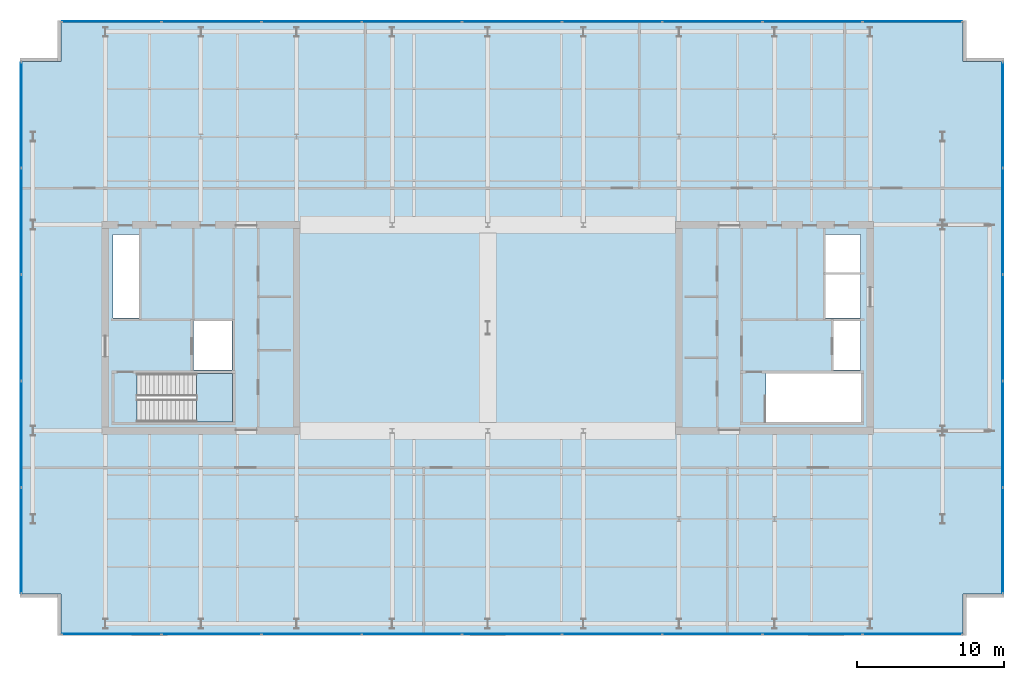
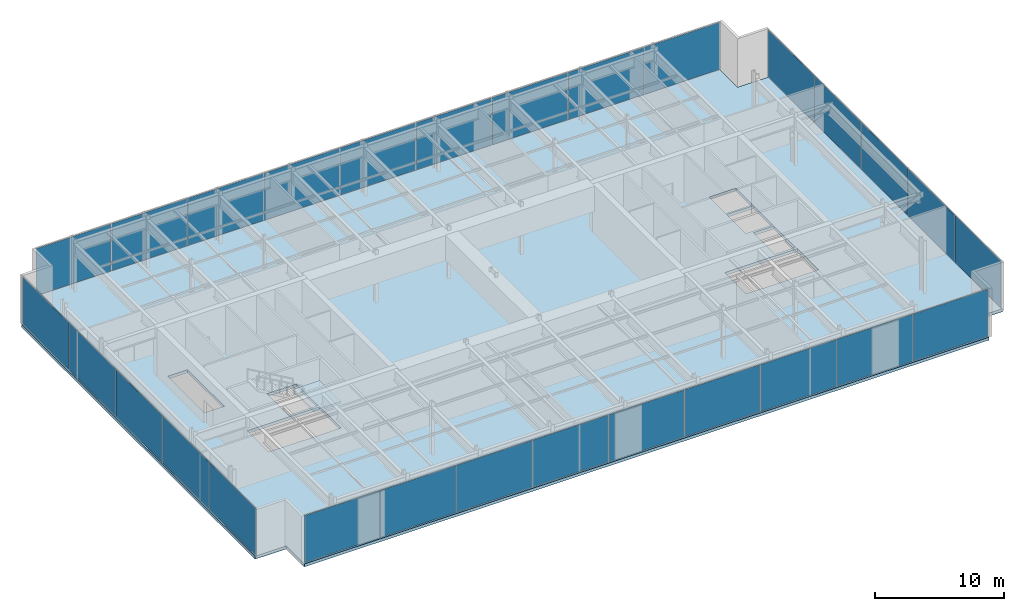
# One storey, part 16 of 21: 28 plates, 2 slabs, 5 elements without a shape of their own.
"""IFC4 building model written with IfcOpenShell, lengths in metres."""

import ifcopenshell
import ifcopenshell.guid

model = None  # the IFC model being written
_history = None  # IfcOwnerHistory: only IFC2X3 demands one
_inside = {}  # id of a spatial element -> (the spatial element, [elements in it])
_under = {}  # id of a project, library or spatial element -> (it, [spatial elements below it])
_declared = {}  # id of a project -> (the project, [libraries it declares])
_typed = {}  # id of a type object -> (the type object, [elements of that type])
_made_of = {}  # id of a material, layer set ... -> (it, [elements and type objects made of it])


def new_model(schema):
    """Start an empty IFC model of exactly this schema.

    Asked for "IFC4X3", IfcOpenShell would pick the latest addendum, in which some entities
    have other attributes; the version numbers below select the first issue.
    IFC2X3 requires an IfcOwnerHistory on every rooted entity: one is made here for all.
    """
    global model, _history
    if schema == "IFC4X3":
        model = ifcopenshell.file(schema_version=(4, 3, 0, 0))
    else:
        model = ifcopenshell.file(schema=schema)
    _inside.clear()
    _under.clear()
    _declared.clear()
    _typed.clear()
    _made_of.clear()
    _history = None
    if model.schema == "IFC2X3":
        org = make("IfcOrganization", Name="unknown")
        user = make(
            "IfcPersonAndOrganization",
            ThePerson=make("IfcPerson", FamilyName="unknown"),
            TheOrganization=org,
        )
        app = make(
            "IfcApplication",
            ApplicationDeveloper=org,
            Version="unknown",
            ApplicationFullName="unknown",
            ApplicationIdentifier="unknown",
        )
        _history = make(
            "IfcOwnerHistory",
            OwningUser=user,
            OwningApplication=app,
            ChangeAction="ADDED",
            CreationDate=0,
        )
    return model


def make(cls, **values):
    """One entity of the class cls with the attributes given. An attribute that is None is left unset."""
    return model.create_entity(
        cls, **{name: value for name, value in values.items() if value is not None}
    )


def rooted(cls, **values):
    """An entity with a GlobalId (a new one), such as an element, a storey or a relation."""
    return make(cls, GlobalId=ifcopenshell.guid.new(), OwnerHistory=_history, **values)


def si_unit(unit_type, name, prefix=None):
    """IfcSIUnit, for example si_unit("LENGTHUNIT", "METRE", prefix="MILLI")."""
    return make("IfcSIUnit", UnitType=unit_type, Prefix=prefix, Name=name)


def assignment(units):
    """IfcUnitAssignment: the units of a project."""
    return None if units is None else make("IfcUnitAssignment", Units=units)


def point(xyz):
    """IfcCartesianPoint."""
    return None if xyz is None else make("IfcCartesianPoint", Coordinates=xyz)


def direction(xyz):
    """IfcDirection."""
    return None if xyz is None else make("IfcDirection", DirectionRatios=xyz)


def frame(location, z_axis=None, x_axis=None):
    """IfcAxis2Placement3D, a coordinate frame: its origin and axes. An axis left out is left unset."""
    return make(
        "IfcAxis2Placement3D",
        Location=point(location),
        Axis=direction(z_axis),
        RefDirection=direction(x_axis),
    )


def frame_2d(location, x_axis=None):
    """IfcAxis2Placement2D, a coordinate frame in the plane: its origin and x axis."""
    return make(
        "IfcAxis2Placement2D", Location=point(location), RefDirection=direction(x_axis)
    )


def origin():
    """The frame at (0, 0, 0) with its axes left unset."""
    return frame((0.0, 0.0, 0.0))


def origin_2d():
    """The frame at (0, 0) in the plane with its x axis left unset."""
    return frame_2d((0.0, 0.0))


def place(relative_to, where):
    """IfcLocalPlacement: puts the frame where relative to a parent placement (None: the world)."""
    return make(
        "IfcLocalPlacement", PlacementRelTo=relative_to, RelativePlacement=where
    )


def context(
    kind, dimensions, precision=None, world=None, true_north=None, identifier=None
):
    """IfcGeometricRepresentationContext, for example the 3D "Model" context."""
    return make(
        "IfcGeometricRepresentationContext",
        ContextIdentifier=identifier,
        ContextType=kind,
        CoordinateSpaceDimension=dimensions,
        Precision=precision,
        WorldCoordinateSystem=world,
        TrueNorth=true_north,
    )


def subcontext(parent, identifier, kind, view, scale=None):
    """IfcGeometricRepresentationSubContext, for example "Body" below "Model"."""
    return make(
        "IfcGeometricRepresentationSubContext",
        ContextIdentifier=identifier,
        ContextType=kind,
        ParentContext=parent,
        TargetScale=scale,
        TargetView=view,
    )


def project(units=None, contexts=None):
    """IfcProject with its units and contexts."""
    return rooted(
        "IfcProject",
        Name="project",
        RepresentationContexts=contexts,
        UnitsInContext=assignment(units),
    )


def spatial(cls, under=None, at=None, **own):
    """A site, building, storey or space (cls), placed at a placement, below another one or the project."""
    s = rooted(cls, ObjectPlacement=at, **own)
    if under is not None:
        _under.setdefault(under.id(), (under, []))[1].append(s)
    return s


def polyline(points):
    """IfcPolyline through the points."""
    return make("IfcPolyline", Points=[point(p) for p in points])


def profile(cls, at=None, kind="AREA", **sizes):
    """A parametric profile (cls). Its sizes go by their IFC names, for example OverallWidth=200.0."""
    return make(cls, ProfileType=kind, Position=at, **sizes)


def rectangle(**sizes):
    """IfcRectangleProfileDef."""
    return profile("IfcRectangleProfileDef", **sizes)


def outline(outer, holes=None, kind="AREA"):
    """IfcArbitraryClosedProfileDef: a profile drawn as a closed curve; with holes, ...WithVoids."""
    if holes is None:
        return make("IfcArbitraryClosedProfileDef", ProfileType=kind, OuterCurve=outer)
    return make(
        "IfcArbitraryProfileDefWithVoids",
        ProfileType=kind,
        OuterCurve=outer,
        InnerCurves=holes,
    )


def extrude(swept, where, along, depth):
    """IfcExtrudedAreaSolid: the profile swept, set in the frame where, extruded along a direction by depth."""
    return make(
        "IfcExtrudedAreaSolid",
        SweptArea=swept,
        Position=where,
        ExtrudedDirection=direction(along),
        Depth=depth,
    )


def shape(context_of_items, identifier, shape_type, items):
    """IfcShapeRepresentation: the items that make up one representation, for example the "Body"."""
    return make(
        "IfcShapeRepresentation",
        ContextOfItems=context_of_items,
        RepresentationIdentifier=identifier,
        RepresentationType=shape_type,
        Items=items,
    )


def material(Name=None, Category=None):
    """IfcMaterial."""
    return make("IfcMaterial", Name=Name, Category=Category)


def layer(
    of_material, thickness, ventilated=None, Name=None, Category=None, Priority=None
):
    """IfcMaterialLayer: one layer of a wall or slab, of a material (None: an air gap)."""
    return make(
        "IfcMaterialLayer",
        Material=of_material,
        LayerThickness=thickness,
        IsVentilated=ventilated,
        Name=Name,
        Category=Category,
        Priority=Priority,
    )


def layer_set(layers, Name=None):
    """IfcMaterialLayerSet."""
    return make("IfcMaterialLayerSet", MaterialLayers=layers, LayerSetName=Name)


def made_of(thing, what):
    """Note that an element or type object is made of a material, layer set ...; save() writes the relation."""
    if what is not None:
        _made_of.setdefault(what.id(), (what, []))[1].append(thing)
    return thing


def type_object(cls, material=None, **own):
    """A type object (cls), such as IfcWallType, which elements share."""
    return made_of(rooted(cls, **own), material)


def element(
    cls,
    number,
    at=None,
    inside=None,
    cuts=None,
    type_object=None,
    material=None,
    context=None,
    identifier="Body",
    shape_type=None,
    held_by="IfcProductDefinitionShape",
    body=None,
    shapes=None,
    **own,
):
    """One element of the class cls, such as IfcWall. Its Tag is "e" and its number.

    at: its placement. inside: the storey or other place that contains it. cuts: it is an
    opening in that element (IfcRelVoidsElement). A single representation is given by context,
    identifier, shape_type and body (its items); several are given by shapes. held_by: the class
    of the entity that holds the representations. save() writes the other relations.
    """
    e = rooted(cls, Tag="e%d" % number, ObjectPlacement=at, **own)
    if body is not None:
        shapes = [shape(context, identifier, shape_type, body)]
    if shapes is not None:
        e.Representation = make(held_by, Representations=shapes)
    if inside is not None:
        _inside.setdefault(inside.id(), (inside, []))[1].append(e)
    if cuts is not None:
        rooted(
            "IfcRelVoidsElement", RelatingBuildingElement=cuts, RelatedOpeningElement=e
        )
    if type_object is not None:
        _typed.setdefault(type_object.id(), (type_object, []))[1].append(e)
    return made_of(e, material)


def aggregate(whole, parts):
    """IfcRelAggregates: a whole, such as a stair, and the parts it consists of."""
    return rooted("IfcRelAggregates", RelatingObject=whole, RelatedObjects=parts)


def save(model, path):
    """Write the relations noted so far, then the file.

    IfcRelAggregates (storeys below a building ...), IfcRelContainedInSpatialStructure (elements
    in a storey), IfcRelDefinesByType, IfcRelAssociatesMaterial and IfcRelDeclares: one each for
    every whole, place, type object, material and project.
    """
    for whole, parts in _under.values():
        aggregate(whole, parts)
    for where, things in _inside.values():
        rooted(
            "IfcRelContainedInSpatialStructure",
            RelatedElements=things,
            RelatingStructure=where,
        )
    for kind, things in _typed.values():
        rooted("IfcRelDefinesByType", RelatedObjects=things, RelatingType=kind)
    for what, things in _made_of.values():
        rooted("IfcRelAssociatesMaterial", RelatedObjects=things, RelatingMaterial=what)
    for by, libraries in _declared.values():
        rooted("IfcRelDeclares", RelatingContext=by, RelatedDefinitions=libraries)
    model.write(path)


model = new_model("IFC4")

# Units and contexts
model_context = context("Model", 3, precision=1e-05, world=origin(), true_north=direction((0.0, 1.0)))
body_context = subcontext(model_context, "Body", "Model", "MODEL_VIEW")
ifc_project = project(units=[si_unit("LENGTHUNIT", "METRE"), si_unit("AREAUNIT", "SQUARE_METRE"), si_unit("VOLUMEUNIT", "CUBIC_METRE"), si_unit("PLANEANGLEUNIT", "RADIAN"), si_unit("MASSUNIT", "GRAM", prefix="KILO")], contexts=[model_context])

# Site, building, storey
site_placement = place(None, origin())
site = spatial("IfcSite", under=ifc_project, at=site_placement, CompositionType="ELEMENT")
building_placement = place(site_placement, origin())
building = spatial("IfcBuilding", under=site, at=building_placement, Name="Putna Gate Headquarters", CompositionType="ELEMENT")
storey_placement = place(building_placement, frame((0.0, 0.0, 315.39990234375)))
storey = spatial("IfcBuildingStorey", under=building, at=storey_placement, Name="L79", CompositionType="ELEMENT", Elevation=315.39990234375)

# Stair, slab
ifc_material_1 = material(Name="Concrete C40/50", Category="concrete")
stair_type = type_object("IfcStairType", Name="STAIR-ST1", PredefinedType="HALF_TURN_STAIR", material=ifc_material_1)
stair_placement = place(storey_placement, origin())
stair = element("IfcStair", 1, at=stair_placement, inside=storey, type_object=stair_type, Name="L79 West Core Exit Stair ST1", PredefinedType="HALF_TURN_STAIR")
ifc_layer_1 = layer(ifc_material_1, 0.199951171875)
ifc_layer_set_1 = layer_set([ifc_layer_1], Name="Concrete C40/50")
slab_type_1 = type_object("IfcSlabType", Name="LANDING-ST1", PredefinedType="LANDING", material=ifc_layer_set_1)
slab_1_placement = place(storey_placement, frame((0.0, 0.0, 2.300048828125)))
slab_1 = element("IfcSlab", 2, at=slab_1_placement, type_object=slab_type_1, Name="ST1 landing 1", PredefinedType="LANDING", context=body_context, shape_type="SweptSolid", body=[
    extrude(outline(polyline([(19.2099609375, 19.60009765625), (21.64990234375, 19.60009765625), (21.64990234375, 22.89990234375), (19.2099609375, 22.89990234375), (19.2099609375, 19.60009765625)])), origin(), (0.0, 0.0, 1.0), 0.199951171875),
])
aggregate(stair, [slab_1])

# Curtain wall, plates
ifc_material_2 = material(Name="Anodised bronze aluminium curtain wall", Category="aluminium")
ifc_layer_2 = layer(ifc_material_2, 0.159912109375)
ifc_layer_set_2 = layer_set([ifc_layer_2], Name="Anodised bronze aluminium curtain wall")
curtain_wall_type = type_object("IfcCurtainWallType", Name="CW-SYS-CRN", PredefinedType="USERDEFINED", material=ifc_layer_set_2)
curtain_wall_1_placement = place(storey_placement, origin())
curtain_wall_1 = element("IfcCurtainWall", 3, at=curtain_wall_1_placement, inside=storey, type_object=curtain_wall_type, Name="L79 Acoustic Louvre South Enclosure", ObjectType="STICK CURTAIN WALL", PredefinedType="USERDEFINED")
ifc_material_3 = material(Name="Anodised bronze acoustic louvre panel", Category="aluminium")
ifc_layer_3 = layer(ifc_material_3, 0.044921875)
ifc_layer_set_3 = layer_set([ifc_layer_3], Name="Anodised bronze acoustic louvre panel")
plate_type = type_object("IfcPlateType", Name="PAN-CWP-CR", PredefinedType="CURTAIN_PANEL", material=ifc_layer_set_3)
plate_1_placement = place(storey_placement, frame((13.421875, 5.179931640625, 0.06494140625), z_axis=(0.0, 0.0, 1.0), x_axis=(1.0, 0.0, 0.0)))
plate_1 = element("IfcPlate", 4, at=plate_1_placement, type_object=plate_type, Name="CWS-CR panel 1.1", PredefinedType="CURTAIN_PANEL", context=body_context, shape_type="SweptSolid", body=[
    extrude(rectangle(XDim=6.713623046875, YDim=0.044921875, at=origin_2d()), origin(), (0.0, 0.0, 1.0), 4.449951171875),
])
plate_2_placement = place(storey_placement, frame((20.216552734375, 5.179931640625, 0.06494140625), z_axis=(0.0, 0.0, 1.0), x_axis=(1.0, 0.0, 0.0)))
plate_2 = element("IfcPlate", 5, at=plate_2_placement, type_object=plate_type, Name="CWS-CR panel 2.1", PredefinedType="CURTAIN_PANEL", context=body_context, shape_type="SweptSolid", body=[
    extrude(rectangle(XDim=6.74609375, YDim=0.044921875, at=origin_2d()), origin(), (0.0, 0.0, 1.0), 4.449951171875),
])
plate_3_placement = place(storey_placement, frame((27.02783203125, 5.179931640625, 0.06494140625), z_axis=(0.0, 0.0, 1.0), x_axis=(1.0, 0.0, 0.0)))
plate_3 = element("IfcPlate", 6, at=plate_3_placement, type_object=plate_type, Name="CWS-CR panel 3.1", PredefinedType="CURTAIN_PANEL", context=body_context, shape_type="SweptSolid", body=[
    extrude(rectangle(XDim=6.74609375, YDim=0.044921875, at=origin_2d()), origin(), (0.0, 0.0, 1.0), 4.449951171875),
])
plate_4_placement = place(storey_placement, frame((33.8388671875, 5.179931640625, 0.06494140625), z_axis=(0.0, 0.0, 1.0), x_axis=(1.0, 0.0, 0.0)))
plate_4 = element("IfcPlate", 7, at=plate_4_placement, type_object=plate_type, Name="CWS-CR panel 4.1", PredefinedType="CURTAIN_PANEL", context=body_context, shape_type="SweptSolid", body=[
    extrude(rectangle(XDim=6.74609375, YDim=0.044921875, at=origin_2d()), origin(), (0.0, 0.0, 1.0), 4.449951171875),
])
plate_5_placement = place(storey_placement, frame((40.64990234375, 5.179931640625, 0.06494140625), z_axis=(0.0, 0.0, 1.0), x_axis=(1.0, 0.0, 0.0)))
plate_5 = element("IfcPlate", 8, at=plate_5_placement, type_object=plate_type, Name="CWS-CR panel 5.1", PredefinedType="CURTAIN_PANEL", context=body_context, shape_type="SweptSolid", body=[
    extrude(rectangle(XDim=6.74609375, YDim=0.044921875, at=origin_2d()), origin(), (0.0, 0.0, 1.0), 4.449951171875),
])
plate_6_placement = place(storey_placement, frame((47.461181640625, 5.179931640625, 0.06494140625), z_axis=(0.0, 0.0, 1.0), x_axis=(1.0, 0.0, 0.0)))
plate_6 = element("IfcPlate", 9, at=plate_6_placement, type_object=plate_type, Name="CWS-CR panel 6.1", PredefinedType="CURTAIN_PANEL", context=body_context, shape_type="SweptSolid", body=[
    extrude(rectangle(XDim=6.74609375, YDim=0.044921875, at=origin_2d()), origin(), (0.0, 0.0, 1.0), 4.449951171875),
])
plate_7_placement = place(storey_placement, frame((54.272216796875, 5.179931640625, 0.06494140625), z_axis=(0.0, 0.0, 1.0), x_axis=(1.0, 0.0, 0.0)))
plate_7 = element("IfcPlate", 10, at=plate_7_placement, type_object=plate_type, Name="CWS-CR panel 7.1", PredefinedType="CURTAIN_PANEL", context=body_context, shape_type="SweptSolid", body=[
    extrude(rectangle(XDim=6.74609375, YDim=0.044921875, at=origin_2d()), origin(), (0.0, 0.0, 1.0), 4.449951171875),
])
plate_8_placement = place(storey_placement, frame((61.083251953125, 5.179931640625, 0.06494140625), z_axis=(0.0, 0.0, 1.0), x_axis=(1.0, 0.0, 0.0)))
plate_8 = element("IfcPlate", 11, at=plate_8_placement, type_object=plate_type, Name="CWS-CR panel 8.1", PredefinedType="CURTAIN_PANEL", context=body_context, shape_type="SweptSolid", body=[
    extrude(rectangle(XDim=6.74609375, YDim=0.044921875, at=origin_2d()), origin(), (0.0, 0.0, 1.0), 4.449951171875),
])
plate_9_placement = place(storey_placement, frame((67.878173828125, 5.179931640625, 0.06494140625), z_axis=(0.0, 0.0, 1.0), x_axis=(1.0, 0.0, 0.0)))
plate_9 = element("IfcPlate", 12, at=plate_9_placement, type_object=plate_type, Name="CWS-CR panel 9.1", PredefinedType="CURTAIN_PANEL", context=body_context, shape_type="SweptSolid", body=[
    extrude(rectangle(XDim=6.713623046875, YDim=0.044921875, at=origin_2d()), origin(), (0.0, 0.0, 1.0), 4.449951171875),
])
aggregate(curtain_wall_1, [plate_1, plate_2, plate_3, plate_4, plate_5, plate_6, plate_7, plate_8, plate_9])

curtain_wall_2_placement = place(storey_placement, origin())
curtain_wall_2 = element("IfcCurtainWall", 13, at=curtain_wall_2_placement, inside=storey, type_object=curtain_wall_type, Name="L79 Acoustic Louvre North Enclosure", ObjectType="STICK CURTAIN WALL", PredefinedType="USERDEFINED")
plate_10_placement = place(storey_placement, frame((13.421875, 46.820068359375, 0.06494140625), z_axis=(0.0, 0.0, 1.0), x_axis=(1.0, 0.0, 0.0)))
plate_10 = element("IfcPlate", 14, at=plate_10_placement, type_object=plate_type, Name="CWS-CR panel 1.1", PredefinedType="CURTAIN_PANEL", context=body_context, shape_type="SweptSolid", body=[
    extrude(rectangle(XDim=6.713623046875, YDim=0.044921875, at=origin_2d()), origin(), (0.0, 0.0, 1.0), 4.449951171875),
])
plate_11_placement = place(storey_placement, frame((20.216552734375, 46.820068359375, 0.06494140625), z_axis=(0.0, 0.0, 1.0), x_axis=(1.0, 0.0, 0.0)))
plate_11 = element("IfcPlate", 15, at=plate_11_placement, type_object=plate_type, Name="CWS-CR panel 2.1", PredefinedType="CURTAIN_PANEL", context=body_context, shape_type="SweptSolid", body=[
    extrude(rectangle(XDim=6.74609375, YDim=0.044921875, at=origin_2d()), origin(), (0.0, 0.0, 1.0), 4.449951171875),
])
plate_12_placement = place(storey_placement, frame((27.02783203125, 46.820068359375, 0.06494140625), z_axis=(0.0, 0.0, 1.0), x_axis=(1.0, 0.0, 0.0)))
plate_12 = element("IfcPlate", 16, at=plate_12_placement, type_object=plate_type, Name="CWS-CR panel 3.1", PredefinedType="CURTAIN_PANEL", context=body_context, shape_type="SweptSolid", body=[
    extrude(rectangle(XDim=6.74609375, YDim=0.044921875, at=origin_2d()), origin(), (0.0, 0.0, 1.0), 4.449951171875),
])
plate_13_placement = place(storey_placement, frame((33.8388671875, 46.820068359375, 0.06494140625), z_axis=(0.0, 0.0, 1.0), x_axis=(1.0, 0.0, 0.0)))
plate_13 = element("IfcPlate", 17, at=plate_13_placement, type_object=plate_type, Name="CWS-CR panel 4.1", PredefinedType="CURTAIN_PANEL", context=body_context, shape_type="SweptSolid", body=[
    extrude(rectangle(XDim=6.74609375, YDim=0.044921875, at=origin_2d()), origin(), (0.0, 0.0, 1.0), 4.449951171875),
])
plate_14_placement = place(storey_placement, frame((40.64990234375, 46.820068359375, 0.06494140625), z_axis=(0.0, 0.0, 1.0), x_axis=(1.0, 0.0, 0.0)))
plate_14 = element("IfcPlate", 18, at=plate_14_placement, type_object=plate_type, Name="CWS-CR panel 5.1", PredefinedType="CURTAIN_PANEL", context=body_context, shape_type="SweptSolid", body=[
    extrude(rectangle(XDim=6.74609375, YDim=0.044921875, at=origin_2d()), origin(), (0.0, 0.0, 1.0), 4.449951171875),
])
plate_15_placement = place(storey_placement, frame((47.461181640625, 46.820068359375, 0.06494140625), z_axis=(0.0, 0.0, 1.0), x_axis=(1.0, 0.0, 0.0)))
plate_15 = element("IfcPlate", 19, at=plate_15_placement, type_object=plate_type, Name="CWS-CR panel 6.1", PredefinedType="CURTAIN_PANEL", context=body_context, shape_type="SweptSolid", body=[
    extrude(rectangle(XDim=6.74609375, YDim=0.044921875, at=origin_2d()), origin(), (0.0, 0.0, 1.0), 4.449951171875),
])
plate_16_placement = place(storey_placement, frame((54.272216796875, 46.820068359375, 0.06494140625), z_axis=(0.0, 0.0, 1.0), x_axis=(1.0, 0.0, 0.0)))
plate_16 = element("IfcPlate", 20, at=plate_16_placement, type_object=plate_type, Name="CWS-CR panel 7.1", PredefinedType="CURTAIN_PANEL", context=body_context, shape_type="SweptSolid", body=[
    extrude(rectangle(XDim=6.74609375, YDim=0.044921875, at=origin_2d()), origin(), (0.0, 0.0, 1.0), 4.449951171875),
])
plate_17_placement = place(storey_placement, frame((61.083251953125, 46.820068359375, 0.06494140625), z_axis=(0.0, 0.0, 1.0), x_axis=(1.0, 0.0, 0.0)))
plate_17 = element("IfcPlate", 21, at=plate_17_placement, type_object=plate_type, Name="CWS-CR panel 8.1", PredefinedType="CURTAIN_PANEL", context=body_context, shape_type="SweptSolid", body=[
    extrude(rectangle(XDim=6.74609375, YDim=0.044921875, at=origin_2d()), origin(), (0.0, 0.0, 1.0), 4.449951171875),
])
plate_18_placement = place(storey_placement, frame((67.878173828125, 46.820068359375, 0.06494140625), z_axis=(0.0, 0.0, 1.0), x_axis=(1.0, 0.0, 0.0)))
plate_18 = element("IfcPlate", 22, at=plate_18_placement, type_object=plate_type, Name="CWS-CR panel 9.1", PredefinedType="CURTAIN_PANEL", context=body_context, shape_type="SweptSolid", body=[
    extrude(rectangle(XDim=6.713623046875, YDim=0.044921875, at=origin_2d()), origin(), (0.0, 0.0, 1.0), 4.449951171875),
])
aggregate(curtain_wall_2, [plate_10, plate_11, plate_12, plate_13, plate_14, plate_15, plate_16, plate_17, plate_18])

curtain_wall_3_placement = place(storey_placement, origin())
curtain_wall_3 = element("IfcCurtainWall", 23, at=curtain_wall_3_placement, inside=storey, type_object=curtain_wall_type, Name="L79 Acoustic Louvre West Enclosure", ObjectType="STICK CURTAIN WALL", PredefinedType="USERDEFINED")
plate_19_placement = place(storey_placement, frame((7.280029296875, 11.5361328125, 0.06494140625), z_axis=(0.0, 0.0, 1.0), x_axis=(0.0, 1.0, 0.0)))
plate_19 = element("IfcPlate", 24, at=plate_19_placement, type_object=plate_type, Name="CWS-CR panel 1.1", PredefinedType="CURTAIN_PANEL", context=body_context, shape_type="SweptSolid", body=[
    extrude(rectangle(XDim=7.142578125, YDim=0.044921875, at=origin_2d()), origin(), (0.0, 0.0, 1.0), 4.449951171875),
])
plate_20_placement = place(storey_placement, frame((7.280029296875, 18.760009765625, 0.06494140625), z_axis=(0.0, 0.0, 1.0), x_axis=(0.0, 1.0, 0.0)))
plate_20 = element("IfcPlate", 25, at=plate_20_placement, type_object=plate_type, Name="CWS-CR panel 2.1", PredefinedType="CURTAIN_PANEL", context=body_context, shape_type="SweptSolid", body=[
    extrude(rectangle(XDim=7.175048828125, YDim=0.044921875, at=origin_2d()), origin(), (0.0, 0.0, 1.0), 4.449951171875),
])
plate_21_placement = place(storey_placement, frame((7.280029296875, 26.0, 0.06494140625), z_axis=(0.0, 0.0, 1.0), x_axis=(0.0, 1.0, 0.0)))
plate_21 = element("IfcPlate", 26, at=plate_21_placement, type_object=plate_type, Name="CWS-CR panel 3.1", PredefinedType="CURTAIN_PANEL", context=body_context, shape_type="SweptSolid", body=[
    extrude(rectangle(XDim=7.175048828125, YDim=0.044921875, at=origin_2d()), origin(), (0.0, 0.0, 1.0), 4.449951171875),
])
plate_22_placement = place(storey_placement, frame((7.280029296875, 33.239990234375, 0.06494140625), z_axis=(0.0, 0.0, 1.0), x_axis=(0.0, 1.0, 0.0)))
plate_22 = element("IfcPlate", 27, at=plate_22_placement, type_object=plate_type, Name="CWS-CR panel 4.1", PredefinedType="CURTAIN_PANEL", context=body_context, shape_type="SweptSolid", body=[
    extrude(rectangle(XDim=7.175048828125, YDim=0.044921875, at=origin_2d()), origin(), (0.0, 0.0, 1.0), 4.449951171875),
])
plate_23_placement = place(storey_placement, frame((7.280029296875, 40.4638671875, 0.06494140625), z_axis=(0.0, 0.0, 1.0), x_axis=(0.0, 1.0, 0.0)))
plate_23 = element("IfcPlate", 28, at=plate_23_placement, type_object=plate_type, Name="CWS-CR panel 5.1", PredefinedType="CURTAIN_PANEL", context=body_context, shape_type="SweptSolid", body=[
    extrude(rectangle(XDim=7.142578125, YDim=0.044921875, at=origin_2d()), origin(), (0.0, 0.0, 1.0), 4.449951171875),
])
aggregate(curtain_wall_3, [plate_19, plate_20, plate_21, plate_22, plate_23])

curtain_wall_4_placement = place(storey_placement, origin())
curtain_wall_4 = element("IfcCurtainWall", 29, at=curtain_wall_4_placement, inside=storey, type_object=curtain_wall_type, Name="L79 Acoustic Louvre East Enclosure", ObjectType="STICK CURTAIN WALL", PredefinedType="USERDEFINED")
plate_24_placement = place(storey_placement, frame((74.02001953125, 11.5361328125, 0.06494140625), z_axis=(0.0, 0.0, 1.0), x_axis=(0.0, 1.0, 0.0)))
plate_24 = element("IfcPlate", 30, at=plate_24_placement, type_object=plate_type, Name="CWS-CR panel 1.1", PredefinedType="CURTAIN_PANEL", context=body_context, shape_type="SweptSolid", body=[
    extrude(rectangle(XDim=7.142578125, YDim=0.044921875, at=origin_2d()), origin(), (0.0, 0.0, 1.0), 4.449951171875),
])
plate_25_placement = place(storey_placement, frame((74.02001953125, 18.760009765625, 0.06494140625), z_axis=(0.0, 0.0, 1.0), x_axis=(0.0, 1.0, 0.0)))
plate_25 = element("IfcPlate", 31, at=plate_25_placement, type_object=plate_type, Name="CWS-CR panel 2.1", PredefinedType="CURTAIN_PANEL", context=body_context, shape_type="SweptSolid", body=[
    extrude(rectangle(XDim=7.175048828125, YDim=0.044921875, at=origin_2d()), origin(), (0.0, 0.0, 1.0), 4.449951171875),
])
plate_26_placement = place(storey_placement, frame((74.02001953125, 26.0, 0.06494140625), z_axis=(0.0, 0.0, 1.0), x_axis=(0.0, 1.0, 0.0)))
plate_26 = element("IfcPlate", 32, at=plate_26_placement, type_object=plate_type, Name="CWS-CR panel 3.1", PredefinedType="CURTAIN_PANEL", context=body_context, shape_type="SweptSolid", body=[
    extrude(rectangle(XDim=7.175048828125, YDim=0.044921875, at=origin_2d()), origin(), (0.0, 0.0, 1.0), 4.449951171875),
])
plate_27_placement = place(storey_placement, frame((74.02001953125, 33.239990234375, 0.06494140625), z_axis=(0.0, 0.0, 1.0), x_axis=(0.0, 1.0, 0.0)))
plate_27 = element("IfcPlate", 33, at=plate_27_placement, type_object=plate_type, Name="CWS-CR panel 4.1", PredefinedType="CURTAIN_PANEL", context=body_context, shape_type="SweptSolid", body=[
    extrude(rectangle(XDim=7.175048828125, YDim=0.044921875, at=origin_2d()), origin(), (0.0, 0.0, 1.0), 4.449951171875),
])
plate_28_placement = place(storey_placement, frame((74.02001953125, 40.4638671875, 0.06494140625), z_axis=(0.0, 0.0, 1.0), x_axis=(0.0, 1.0, 0.0)))
plate_28 = element("IfcPlate", 34, at=plate_28_placement, type_object=plate_type, Name="CWS-CR panel 5.1", PredefinedType="CURTAIN_PANEL", context=body_context, shape_type="SweptSolid", body=[
    extrude(rectangle(XDim=7.142578125, YDim=0.044921875, at=origin_2d()), origin(), (0.0, 0.0, 1.0), 4.449951171875),
])
aggregate(curtain_wall_4, [plate_24, plate_25, plate_26, plate_27, plate_28])

# Slab
ifc_layer_4 = layer(ifc_material_1, 0.280029296875)
ifc_layer_set_4 = layer_set([ifc_layer_4], Name="Concrete C40/50")
slab_type_2 = type_object("IfcSlabType", Name="SLAB-PLANT-280", PredefinedType="FLOOR", material=ifc_layer_set_4)
slab_2_placement = place(storey_placement, frame((0.0, 0.0, -0.27978515625)))
element("IfcSlab", 35, at=slab_2_placement, inside=storey, type_object=slab_type_2, Name="L79 Composite Floor Slab", PredefinedType="FLOOR", context=body_context, shape_type="SweptSolid", body=[
    extrude(outline(polyline([(10.0, 5.10009765625), (71.300048828125, 5.10009765625), (71.300048828125, 7.89990234375), (74.10009765625, 7.89990234375), (74.10009765625, 44.10009765625), (71.300048828125, 44.10009765625), (71.300048828125, 46.89990234375), (10.0, 46.89990234375), (10.0, 44.10009765625), (7.199951171875, 44.10009765625), (7.199951171875, 7.89990234375), (10.0, 7.89990234375), (10.0, 5.10009765625)]), holes=[polyline([(15.1650390625, 19.60009765625), (21.64990234375, 19.60009765625), (21.64990234375, 22.89990234375), (15.1650390625, 22.89990234375), (15.1650390625, 19.60009765625)]), polyline([(57.9150390625, 19.60009765625), (64.39990234375, 19.60009765625), (64.39990234375, 22.89990234375), (57.9150390625, 22.89990234375), (57.9150390625, 19.60009765625)]), polyline([(13.52001953125, 26.659912109375), (15.280029296875, 26.659912109375), (15.280029296875, 32.35009765625), (13.52001953125, 32.35009765625), (13.52001953125, 26.659912109375)]), polyline([(61.969970703125, 29.780029296875), (64.35009765625, 29.780029296875), (64.35009765625, 32.35009765625), (61.969970703125, 32.35009765625), (61.969970703125, 29.780029296875)]), polyline([(18.97998046875, 23.1201171875), (21.6201171875, 23.1201171875), (21.6201171875, 26.4599609375), (18.97998046875, 26.4599609375), (18.97998046875, 23.1201171875)]), polyline([(62.52001953125, 23.1201171875), (64.35009765625, 23.1201171875), (64.35009765625, 26.4599609375), (62.52001953125, 26.4599609375), (62.52001953125, 23.1201171875)]), polyline([(61.969970703125, 26.659912109375), (64.35009765625, 26.659912109375), (64.35009765625, 29.6201171875), (61.969970703125, 29.6201171875), (61.969970703125, 26.659912109375)])]), origin(), (0.0, 0.0, 1.0), 0.27978515625),
])

save(model, "model.ifc")
